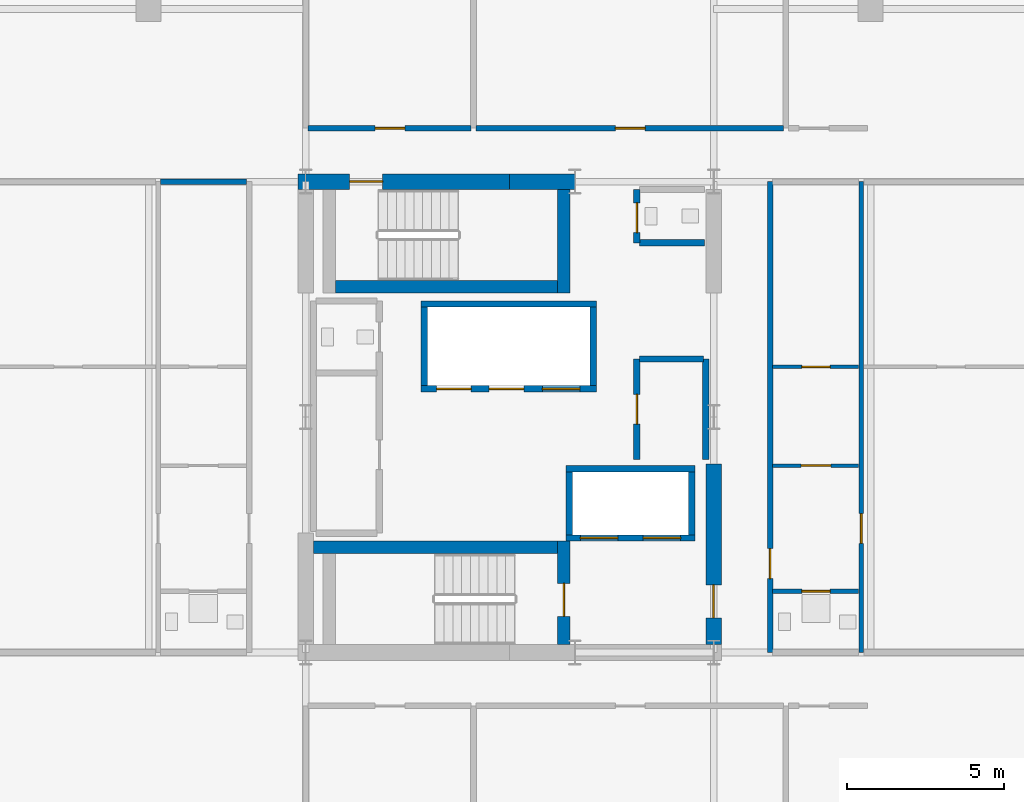
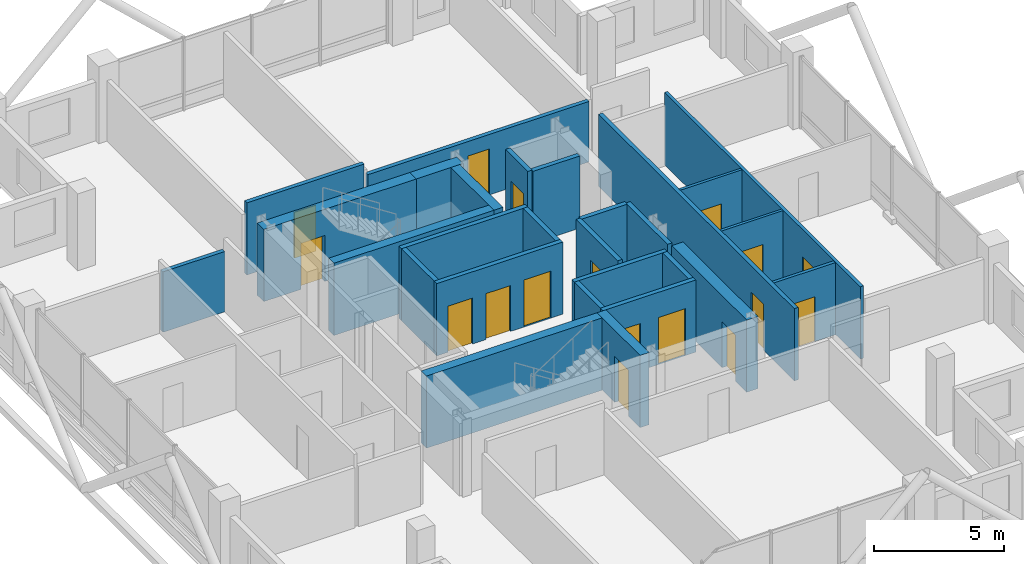
# One storey, part 20 of 24: 28 walls, 17 doors, 17 openings.
"""IFC4 building model written with IfcOpenShell, lengths in metres."""

import ifcopenshell
import ifcopenshell.guid

model = None  # the IFC model being written
_history = None  # IfcOwnerHistory: only IFC2X3 demands one
_inside = {}  # id of a spatial element -> (the spatial element, [elements in it])
_under = {}  # id of a project, library or spatial element -> (it, [spatial elements below it])
_declared = {}  # id of a project -> (the project, [libraries it declares])
_typed = {}  # id of a type object -> (the type object, [elements of that type])
_made_of = {}  # id of a material, layer set ... -> (it, [elements and type objects made of it])


def new_model(schema):
    """Start an empty IFC model of exactly this schema.

    Asked for "IFC4X3", IfcOpenShell would pick the latest addendum, in which some entities
    have other attributes; the version numbers below select the first issue.
    IFC2X3 requires an IfcOwnerHistory on every rooted entity: one is made here for all.
    """
    global model, _history
    if schema == "IFC4X3":
        model = ifcopenshell.file(schema_version=(4, 3, 0, 0))
    else:
        model = ifcopenshell.file(schema=schema)
    _inside.clear()
    _under.clear()
    _declared.clear()
    _typed.clear()
    _made_of.clear()
    _history = None
    if model.schema == "IFC2X3":
        org = make("IfcOrganization", Name="unknown")
        user = make(
            "IfcPersonAndOrganization",
            ThePerson=make("IfcPerson", FamilyName="unknown"),
            TheOrganization=org,
        )
        app = make(
            "IfcApplication",
            ApplicationDeveloper=org,
            Version="unknown",
            ApplicationFullName="unknown",
            ApplicationIdentifier="unknown",
        )
        _history = make(
            "IfcOwnerHistory",
            OwningUser=user,
            OwningApplication=app,
            ChangeAction="ADDED",
            CreationDate=0,
        )
    return model


def make(cls, **values):
    """One entity of the class cls with the attributes given. An attribute that is None is left unset."""
    return model.create_entity(
        cls, **{name: value for name, value in values.items() if value is not None}
    )


def rooted(cls, **values):
    """An entity with a GlobalId (a new one), such as an element, a storey or a relation."""
    return make(cls, GlobalId=ifcopenshell.guid.new(), OwnerHistory=_history, **values)


def si_unit(unit_type, name, prefix=None):
    """IfcSIUnit, for example si_unit("LENGTHUNIT", "METRE", prefix="MILLI")."""
    return make("IfcSIUnit", UnitType=unit_type, Prefix=prefix, Name=name)


def assignment(units):
    """IfcUnitAssignment: the units of a project."""
    return None if units is None else make("IfcUnitAssignment", Units=units)


def point(xyz):
    """IfcCartesianPoint."""
    return None if xyz is None else make("IfcCartesianPoint", Coordinates=xyz)


def direction(xyz):
    """IfcDirection."""
    return None if xyz is None else make("IfcDirection", DirectionRatios=xyz)


def frame(location, z_axis=None, x_axis=None):
    """IfcAxis2Placement3D, a coordinate frame: its origin and axes. An axis left out is left unset."""
    return make(
        "IfcAxis2Placement3D",
        Location=point(location),
        Axis=direction(z_axis),
        RefDirection=direction(x_axis),
    )


def frame_2d(location, x_axis=None):
    """IfcAxis2Placement2D, a coordinate frame in the plane: its origin and x axis."""
    return make(
        "IfcAxis2Placement2D", Location=point(location), RefDirection=direction(x_axis)
    )


def origin():
    """The frame at (0, 0, 0) with its axes left unset."""
    return frame((0.0, 0.0, 0.0))


def place(relative_to, where):
    """IfcLocalPlacement: puts the frame where relative to a parent placement (None: the world)."""
    return make(
        "IfcLocalPlacement", PlacementRelTo=relative_to, RelativePlacement=where
    )


def context(
    kind, dimensions, precision=None, world=None, true_north=None, identifier=None
):
    """IfcGeometricRepresentationContext, for example the 3D "Model" context."""
    return make(
        "IfcGeometricRepresentationContext",
        ContextIdentifier=identifier,
        ContextType=kind,
        CoordinateSpaceDimension=dimensions,
        Precision=precision,
        WorldCoordinateSystem=world,
        TrueNorth=true_north,
    )


def subcontext(parent, identifier, kind, view, scale=None):
    """IfcGeometricRepresentationSubContext, for example "Body" below "Model"."""
    return make(
        "IfcGeometricRepresentationSubContext",
        ContextIdentifier=identifier,
        ContextType=kind,
        ParentContext=parent,
        TargetScale=scale,
        TargetView=view,
    )


def project(units=None, contexts=None):
    """IfcProject with its units and contexts."""
    return rooted(
        "IfcProject",
        Name="project",
        RepresentationContexts=contexts,
        UnitsInContext=assignment(units),
    )


def spatial(cls, under=None, at=None, **own):
    """A site, building, storey or space (cls), placed at a placement, below another one or the project."""
    s = rooted(cls, ObjectPlacement=at, **own)
    if under is not None:
        _under.setdefault(under.id(), (under, []))[1].append(s)
    return s


def profile(cls, at=None, kind="AREA", **sizes):
    """A parametric profile (cls). Its sizes go by their IFC names, for example OverallWidth=200.0."""
    return make(cls, ProfileType=kind, Position=at, **sizes)


def rectangle(**sizes):
    """IfcRectangleProfileDef."""
    return profile("IfcRectangleProfileDef", **sizes)


def extrude(swept, where, along, depth):
    """IfcExtrudedAreaSolid: the profile swept, set in the frame where, extruded along a direction by depth."""
    return make(
        "IfcExtrudedAreaSolid",
        SweptArea=swept,
        Position=where,
        ExtrudedDirection=direction(along),
        Depth=depth,
    )


def shape(context_of_items, identifier, shape_type, items):
    """IfcShapeRepresentation: the items that make up one representation, for example the "Body"."""
    return make(
        "IfcShapeRepresentation",
        ContextOfItems=context_of_items,
        RepresentationIdentifier=identifier,
        RepresentationType=shape_type,
        Items=items,
    )


def material(Name=None, Category=None):
    """IfcMaterial."""
    return make("IfcMaterial", Name=Name, Category=Category)


def layer(
    of_material, thickness, ventilated=None, Name=None, Category=None, Priority=None
):
    """IfcMaterialLayer: one layer of a wall or slab, of a material (None: an air gap)."""
    return make(
        "IfcMaterialLayer",
        Material=of_material,
        LayerThickness=thickness,
        IsVentilated=ventilated,
        Name=Name,
        Category=Category,
        Priority=Priority,
    )


def layer_set(layers, Name=None):
    """IfcMaterialLayerSet."""
    return make("IfcMaterialLayerSet", MaterialLayers=layers, LayerSetName=Name)


def made_of(thing, what):
    """Note that an element or type object is made of a material, layer set ...; save() writes the relation."""
    if what is not None:
        _made_of.setdefault(what.id(), (what, []))[1].append(thing)
    return thing


def type_object(cls, material=None, **own):
    """A type object (cls), such as IfcWallType, which elements share."""
    return made_of(rooted(cls, **own), material)


def element(
    cls,
    number,
    at=None,
    inside=None,
    cuts=None,
    type_object=None,
    material=None,
    context=None,
    identifier="Body",
    shape_type=None,
    held_by="IfcProductDefinitionShape",
    body=None,
    shapes=None,
    **own,
):
    """One element of the class cls, such as IfcWall. Its Tag is "e" and its number.

    at: its placement. inside: the storey or other place that contains it. cuts: it is an
    opening in that element (IfcRelVoidsElement). A single representation is given by context,
    identifier, shape_type and body (its items); several are given by shapes. held_by: the class
    of the entity that holds the representations. save() writes the other relations.
    """
    e = rooted(cls, Tag="e%d" % number, ObjectPlacement=at, **own)
    if body is not None:
        shapes = [shape(context, identifier, shape_type, body)]
    if shapes is not None:
        e.Representation = make(held_by, Representations=shapes)
    if inside is not None:
        _inside.setdefault(inside.id(), (inside, []))[1].append(e)
    if cuts is not None:
        rooted(
            "IfcRelVoidsElement", RelatingBuildingElement=cuts, RelatedOpeningElement=e
        )
    if type_object is not None:
        _typed.setdefault(type_object.id(), (type_object, []))[1].append(e)
    return made_of(e, material)


def fill(opening, filler):
    """IfcRelFillsElement: the door or window that sits in an opening."""
    return rooted(
        "IfcRelFillsElement",
        RelatingOpeningElement=opening,
        RelatedBuildingElement=filler,
    )


def aggregate(whole, parts):
    """IfcRelAggregates: a whole, such as a stair, and the parts it consists of."""
    return rooted("IfcRelAggregates", RelatingObject=whole, RelatedObjects=parts)


def save(model, path):
    """Write the relations noted so far, then the file.

    IfcRelAggregates (storeys below a building ...), IfcRelContainedInSpatialStructure (elements
    in a storey), IfcRelDefinesByType, IfcRelAssociatesMaterial and IfcRelDeclares: one each for
    every whole, place, type object, material and project.
    """
    for whole, parts in _under.values():
        aggregate(whole, parts)
    for where, things in _inside.values():
        rooted(
            "IfcRelContainedInSpatialStructure",
            RelatedElements=things,
            RelatingStructure=where,
        )
    for kind, things in _typed.values():
        rooted("IfcRelDefinesByType", RelatedObjects=things, RelatingType=kind)
    for what, things in _made_of.values():
        rooted("IfcRelAssociatesMaterial", RelatedObjects=things, RelatingMaterial=what)
    for by, libraries in _declared.values():
        rooted("IfcRelDeclares", RelatingContext=by, RelatedDefinitions=libraries)
    model.write(path)


model = new_model("IFC4")

# Units and contexts
model_context = context("Model", 3, precision=1e-05, world=origin(), true_north=direction((0.0, 1.0)))
body_context = subcontext(model_context, "Body", "Model", "MODEL_VIEW")
ifc_project = project(units=[si_unit("LENGTHUNIT", "METRE"), si_unit("AREAUNIT", "SQUARE_METRE"), si_unit("VOLUMEUNIT", "CUBIC_METRE"), si_unit("PLANEANGLEUNIT", "RADIAN"), si_unit("MASSUNIT", "GRAM", prefix="KILO")], contexts=[model_context])

# Site, building, storey
site_placement = place(None, origin())
site = spatial("IfcSite", under=ifc_project, at=site_placement, CompositionType="ELEMENT")
building_placement = place(site_placement, origin())
building = spatial("IfcBuilding", under=site, at=building_placement, Name="Barlavira Tower and Art Museum", CompositionType="ELEMENT")
storey_placement = place(building_placement, frame((0.0, 0.0, 294.300048828125)))
storey = spatial("IfcBuildingStorey", under=building, at=storey_placement, Name="L77", CompositionType="ELEMENT", Elevation=294.300048828125)

# Wall, opening, door
ifc_material_1 = material(Name="Gypsum acoustic stud partition", Category="gypsum")
ifc_layer_1 = layer(ifc_material_1, 0.1201171875, Name="Gypsum acoustic stud partition")
ifc_layer_set_1 = layer_set([ifc_layer_1], Name="Gypsum acoustic stud partition")
wall_type_1 = type_object("IfcWallType", Name="Apartment Internal Acoustic Partition 120", PredefinedType="PARTITIONING", material=ifc_layer_set_1)
wall_1_placement = place(storey_placement, frame((8.3798828125, -1.550048828125, 0.0), z_axis=(0.0, 0.0, 1.0), x_axis=(1.0, 0.0, 0.0)))
wall_1 = element("IfcWall", 1, at=wall_1_placement, inside=storey, type_object=wall_type_1, Name="L77 Partition Wall 27", PredefinedType="PARTITIONING", context=body_context, shape_type="SweptSolid", body=[
    extrude(rectangle(XDim=2.740234375, YDim=0.1201171875, at=frame_2d((1.3701171875, 0.0))), origin(), (0.0, 0.0, 1.0), 3.3798828125),
])
opening_1_placement = place(wall_1_placement, frame((0.905029296875, 0.0, 0.0)))
opening_1 = element("IfcOpeningElement", 2, at=opening_1_placement, cuts=wall_1, Name="Opening D-02", PredefinedType="OPENING", context=body_context, shape_type="SweptSolid", body=[
    extrude(rectangle(XDim=0.949951171875, YDim=2.10009765625, at=frame_2d((0.47509765625, 1.050048828125))), frame((0.0, 0.070068359375, 0.0), z_axis=(0.0, -1.0, 0.0), x_axis=(1.0, 0.0, 0.0)), (0.0, 0.0, 1.0), 0.14013671875),
])
ifc_material_2 = material(Name="Engineered coastal hardwood", Category="wood")
door_type_1 = type_object("IfcDoorType", Name="Living and Salon Glazed-Leaf Door 950x2100", OperationType="NOTDEFINED", PredefinedType="DOOR", material=ifc_material_2)
door_1_placement = place(opening_1_placement, origin())
door_1 = element("IfcDoor", 3, at=door_1_placement, inside=storey, type_object=door_type_1, Name="Apartment E1 Kitchen Door", OperationType="SINGLE_SWING_RIGHT", OverallHeight=2.10009765625, OverallWidth=0.949951171875, PredefinedType="DOOR", context=body_context, shape_type="SweptSolid", body=[
    extrude(rectangle(XDim=0.949951171875, YDim=2.10009765625, at=frame_2d((0.47509765625, 1.050048828125))), frame((0.0, 0.02490234375, 0.0), z_axis=(0.0, -1.0, 0.0), x_axis=(1.0, 0.0, 0.0)), (0.0, 0.0, 1.0), 0.050048828125),
])
fill(opening_1, door_1)

wall_2_placement = place(storey_placement, frame((8.3798828125, 1.60009765625, 0.0), z_axis=(0.0, 0.0, 1.0), x_axis=(1.0, 0.0, 0.0)))
wall_2 = element("IfcWall", 4, at=wall_2_placement, inside=storey, type_object=wall_type_1, Name="L77 Partition Wall 31", PredefinedType="PARTITIONING", context=body_context, shape_type="SweptSolid", body=[
    extrude(rectangle(XDim=2.740234375, YDim=0.1201171875, at=frame_2d((1.3701171875, 0.0))), origin(), (0.0, 0.0, 1.0), 3.3798828125),
])
opening_2_placement = place(wall_2_placement, frame((0.929931640625, 0.0, 0.0)))
opening_2 = element("IfcOpeningElement", 5, at=opening_2_placement, cuts=wall_2, Name="Opening D-01", PredefinedType="OPENING", context=body_context, shape_type="SweptSolid", body=[
    extrude(rectangle(XDim=0.89990234375, YDim=2.10009765625, at=frame_2d((0.449951171875, 1.050048828125))), frame((0.0, 0.070068359375, 0.0), z_axis=(0.0, -1.0, 0.0), x_axis=(1.0, 0.0, 0.0)), (0.0, 0.0, 1.0), 0.14013671875),
])
door_type_2 = type_object("IfcDoorType", Name="Internal Bedroom Timber Flush Door 900x2100", OperationType="NOTDEFINED", PredefinedType="DOOR", material=ifc_material_2)
door_2_placement = place(opening_2_placement, origin())
door_2 = element("IfcDoor", 6, at=door_2_placement, inside=storey, type_object=door_type_2, Name="Apartment E1 Walk-In Dressing Room Door", OperationType="SINGLE_SWING_LEFT", OverallHeight=2.10009765625, OverallWidth=0.89990234375, PredefinedType="DOOR", context=body_context, shape_type="SweptSolid", body=[
    extrude(rectangle(XDim=0.89990234375, YDim=2.10009765625, at=frame_2d((0.449951171875, 1.050048828125))), frame((0.0, 0.02490234375, 0.0), z_axis=(0.0, -1.0, 0.0), x_axis=(1.0, 0.0, 0.0)), (0.0, 0.0, 1.0), 0.050048828125),
])
fill(opening_2, door_2)

ifc_material_3 = material(Name="Concrete C60", Category="concrete")
ifc_layer_2 = layer(ifc_material_3, 0.5, Name="Concrete C60")
ifc_layer_set_2 = layer_set([ifc_layer_2], Name="Concrete C60")
wall_type_2 = type_object("IfcWallType", Name="Core Structural Shear Wall 500 Concrete C60", PredefinedType="SHEAR", material=ifc_layer_set_2)
wall_3_placement = place(storey_placement, frame((-6.75, 7.5, 0.0), z_axis=(0.0, 0.0, 1.0), x_axis=(1.0, 0.0, 0.0)))
wall_3 = element("IfcWall", 7, at=wall_3_placement, inside=storey, type_object=wall_type_2, Name="L77 Core Shear Wall CS-NW", PredefinedType="SHEAR", context=body_context, shape_type="SweptSolid", body=[
    extrude(rectangle(XDim=6.75, YDim=0.5, at=frame_2d((3.375, 0.0))), origin(), (0.0, 0.0, 1.0), 3.3798828125),
])
opening_3_placement = place(wall_3_placement, frame((1.64990234375, 0.0, 0.0)))
opening_3 = element("IfcOpeningElement", 8, at=opening_3_placement, cuts=wall_3, Name="Opening FD-90", PredefinedType="OPENING", context=body_context, shape_type="SweptSolid", body=[
    extrude(rectangle(XDim=1.050048828125, YDim=2.14990234375, at=frame_2d((0.52490234375, 1.074951171875))), frame((0.0, 0.260009765625, 0.0), z_axis=(0.0, -1.0, 0.0), x_axis=(1.0, 0.0, 0.0)), (0.0, 0.0, 1.0), 0.52001953125),
])
ifc_material_4 = material(Name="Brushed stainless steel", Category="steel")
door_type_3 = type_object("IfcDoorType", Name="Stair and Refuge Fire Door 1050x2150 FD90S", OperationType="NOTDEFINED", PredefinedType="DOOR", material=ifc_material_4)
door_3_placement = place(opening_3_placement, origin())
door_3 = element("IfcDoor", 9, at=door_3_placement, inside=storey, type_object=door_type_3, Name="L77 Stair ST-T2 Fire Door", OperationType="SINGLE_SWING_LEFT", OverallHeight=2.14990234375, OverallWidth=1.050048828125, PredefinedType="DOOR", context=body_context, shape_type="SweptSolid", body=[
    extrude(rectangle(XDim=1.050048828125, YDim=2.14990234375, at=frame_2d((0.52490234375, 1.074951171875))), frame((0.0, 0.02490234375, 0.0), z_axis=(0.0, -1.0, 0.0), x_axis=(1.0, 0.0, 0.0)), (0.0, 0.0, 1.0), 0.050048828125),
])
fill(opening_3, door_3)

# Wall
wall_4_placement = place(storey_placement, frame((0.0, 7.5, 0.0), z_axis=(0.0, 0.0, 1.0), x_axis=(1.0, 0.0, 0.0)))
element("IfcWall", 10, at=wall_4_placement, inside=storey, type_object=wall_type_2, Name="L77 Core Shear Wall CS-EN", PredefinedType="SHEAR", context=body_context, shape_type="SweptSolid", body=[
    extrude(rectangle(XDim=2.080078125, YDim=0.5, at=frame_2d((1.0400390625, 0.0))), origin(), (0.0, 0.0, 1.0), 3.3798828125),
])

# Wall, opening, door
wall_5_placement = place(storey_placement, frame((6.5, -7.25, 0.0), z_axis=(0.0, 0.0, 1.0), x_axis=(0.0, 1.0, 0.0)))
wall_5 = element("IfcWall", 11, at=wall_5_placement, inside=storey, type_object=wall_type_2, Name="L77 Core Shear Wall CS-E1", PredefinedType="SHEAR", context=body_context, shape_type="SweptSolid", body=[
    extrude(rectangle(XDim=5.75, YDim=0.5, at=frame_2d((2.875, 0.0))), origin(), (0.0, 0.0, 1.0), 3.3798828125),
])
opening_4_placement = place(wall_5_placement, frame((0.85009765625, 0.0, 0.0)))
opening_4 = element("IfcOpeningElement", 12, at=opening_4_placement, cuts=wall_5, Name="Opening FD-90", PredefinedType="OPENING", context=body_context, shape_type="SweptSolid", body=[
    extrude(rectangle(XDim=1.050048828125, YDim=2.14990234375, at=frame_2d((0.52490234375, 1.074951171875))), frame((0.0, 0.260009765625, 0.0), z_axis=(0.0, -1.0, 0.0), x_axis=(1.0, 0.0, 0.0)), (0.0, 0.0, 1.0), 0.52001953125),
])
door_4_placement = place(opening_4_placement, origin())
door_4 = element("IfcDoor", 13, at=door_4_placement, inside=storey, type_object=door_type_3, Name="L77 Firefighting Lobby Entry Fire Door", OperationType="SINGLE_SWING_LEFT", OverallHeight=2.14990234375, OverallWidth=1.050048828125, PredefinedType="DOOR", context=body_context, shape_type="SweptSolid", body=[
    extrude(rectangle(XDim=1.050048828125, YDim=2.14990234375, at=frame_2d((0.52490234375, 1.074951171875))), frame((0.0, 0.02490234375, 0.0), z_axis=(0.0, -1.0, 0.0), x_axis=(1.0, 0.0, 0.0)), (0.0, 0.0, 1.0), 0.050048828125),
])
fill(opening_4, door_4)

# Wall, openings, doors
ifc_material_5 = material(Name="Autoclaved aerated concrete masonry", Category="masonry")
ifc_layer_3 = layer(ifc_material_5, 0.199951171875, Name="Autoclaved aerated concrete masonry")
ifc_layer_set_3 = layer_set([ifc_layer_3], Name="Autoclaved aerated concrete masonry")
wall_type_3 = type_object("IfcWallType", Name="Fire Compartment and Shaft Wall 200", PredefinedType="SOLIDWALL", material=ifc_layer_set_3)
wall_6_placement = place(storey_placement, frame((-2.820068359375, 0.89990234375, 0.0), z_axis=(0.0, 0.0, 1.0), x_axis=(1.0, 0.0, 0.0)))
wall_6 = element("IfcWall", 14, at=wall_6_placement, inside=storey, type_object=wall_type_3, Name="L77 High-Rise & Service Lift Front Wall", PredefinedType="SOLIDWALL", context=body_context, shape_type="SweptSolid", body=[
    extrude(rectangle(XDim=5.580078125, YDim=0.199951171875, at=frame_2d((2.7900390625, 0.0))), origin(), (0.0, 0.0, 1.0), 3.3798828125),
])
opening_5_placement = place(wall_6_placement, frame((0.489990234375, 0.0, 0.0)))
opening_5 = element("IfcOpeningElement", 15, at=opening_5_placement, cuts=wall_6, Name="Opening LD-P", PredefinedType="OPENING", context=body_context, shape_type="SweptSolid", body=[
    extrude(rectangle(XDim=1.10009765625, YDim=2.14990234375, at=frame_2d((0.550048828125, 1.074951171875))), frame((0.0, 0.10986328125, 0.0), z_axis=(0.0, -1.0, 0.0), x_axis=(1.0, 0.0, 0.0)), (0.0, 0.0, 1.0), 0.219970703125),
])
opening_6_placement = place(wall_6_placement, frame((2.169921875, 0.0, 0.0)))
opening_6 = element("IfcOpeningElement", 16, at=opening_6_placement, cuts=wall_6, Name="Opening LD-P", PredefinedType="OPENING", context=body_context, shape_type="SweptSolid", body=[
    extrude(rectangle(XDim=1.10009765625, YDim=2.14990234375, at=frame_2d((0.550048828125, 1.074951171875))), frame((0.0, 0.10986328125, 0.0), z_axis=(0.0, -1.0, 0.0), x_axis=(1.0, 0.0, 0.0)), (0.0, 0.0, 1.0), 0.219970703125),
])
opening_7_placement = place(wall_6_placement, frame((3.860107421875, 0.0, 0.0)))
opening_7 = element("IfcOpeningElement", 17, at=opening_7_placement, cuts=wall_6, Name="Opening LD-F", PredefinedType="OPENING", context=body_context, shape_type="SweptSolid", body=[
    extrude(rectangle(XDim=1.199951171875, YDim=2.199951171875, at=frame_2d((0.60009765625, 1.10009765625))), frame((0.0, 0.10986328125, 0.0), z_axis=(0.0, -1.0, 0.0), x_axis=(1.0, 0.0, 0.0)), (0.0, 0.0, 1.0), 0.219970703125),
])
door_type_4 = type_object("IfcDoorType", Name="Firefighting and Service Lift Sliding Door 1200x2200 FD120", OperationType="NOTDEFINED", PredefinedType="DOOR", material=ifc_material_4)
door_5_placement = place(opening_7_placement, origin())
door_5 = element("IfcDoor", 18, at=door_5_placement, inside=storey, type_object=door_type_4, Name="L77 Stretcher Service Lift SL1 Sliding Door", OperationType="DOUBLE_DOOR_SLIDING", OverallHeight=2.199951171875, OverallWidth=1.199951171875, PredefinedType="DOOR", context=body_context, shape_type="SweptSolid", body=[
    extrude(rectangle(XDim=1.199951171875, YDim=2.199951171875, at=frame_2d((0.60009765625, 1.10009765625))), frame((0.0, 0.02490234375, 0.0), z_axis=(0.0, -1.0, 0.0), x_axis=(1.0, 0.0, 0.0)), (0.0, 0.0, 1.0), 0.050048828125),
])
fill(opening_7, door_5)
door_type_5 = type_object("IfcDoorType", Name="Passenger Lift Sliding Landing Door 1100x2150 FD60", OperationType="NOTDEFINED", PredefinedType="DOOR", material=ifc_material_4)
door_6_placement = place(opening_5_placement, origin())
door_6 = element("IfcDoor", 19, at=door_6_placement, inside=storey, type_object=door_type_5, Name="L77 Lift PH1 Sliding Landing Door", OperationType="DOUBLE_DOOR_SLIDING", OverallHeight=2.14990234375, OverallWidth=1.10009765625, PredefinedType="DOOR", context=body_context, shape_type="SweptSolid", body=[
    extrude(rectangle(XDim=1.10009765625, YDim=2.14990234375, at=frame_2d((0.550048828125, 1.074951171875))), frame((0.0, 0.02490234375, 0.0), z_axis=(0.0, -1.0, 0.0), x_axis=(1.0, 0.0, 0.0)), (0.0, 0.0, 1.0), 0.050048828125),
])
fill(opening_5, door_6)
door_7_placement = place(opening_6_placement, origin())
door_7 = element("IfcDoor", 20, at=door_7_placement, inside=storey, type_object=door_type_5, Name="L77 Lift PH2 Sliding Landing Door", OperationType="DOUBLE_DOOR_SLIDING", OverallHeight=2.14990234375, OverallWidth=1.10009765625, PredefinedType="DOOR", context=body_context, shape_type="SweptSolid", body=[
    extrude(rectangle(XDim=1.10009765625, YDim=2.14990234375, at=frame_2d((0.550048828125, 1.074951171875))), frame((0.0, 0.02490234375, 0.0), z_axis=(0.0, -1.0, 0.0), x_axis=(1.0, 0.0, 0.0)), (0.0, 0.0, 1.0), 0.050048828125),
])
fill(opening_6, door_7)

# Walls
wall_7_placement = place(storey_placement, frame((-2.820068359375, 3.60009765625, 0.0), z_axis=(0.0, 0.0, 1.0), x_axis=(1.0, 0.0, 0.0)))
element("IfcWall", 21, at=wall_7_placement, inside=storey, type_object=wall_type_3, Name="L77 High-Rise & Service Lift Back Wall", PredefinedType="SOLIDWALL", context=body_context, shape_type="SweptSolid", body=[
    extrude(rectangle(XDim=5.580078125, YDim=0.199951171875, at=frame_2d((2.7900390625, 0.0))), origin(), (0.0, 0.0, 1.0), 3.3798828125),
])
for number, where, z_axis, x_axis, name in (
    (22, (-2.719970703125, 1.0, 0.0), (0.0, 0.0, 1.0), (0.0, 1.0, 0.0), "L77 High-Rise & Service Lift West Wall"),
    (23, (2.659912109375, 1.0, 0.0), (0.0, 0.0, 1.0), (0.0, 1.0, 0.0), "L77 High-Rise & Service Lift East Wall"),
):
    element("IfcWall", number, at=place(storey_placement, frame(where, z_axis=z_axis, x_axis=x_axis)), inside=storey, type_object=wall_type_3, Name=name, PredefinedType="SOLIDWALL", context=body_context, shape_type="SweptSolid", body=[
        extrude(rectangle(XDim=2.5, YDim=0.199951171875, at=frame_2d((1.25, 0.0))), origin(), (0.0, 0.0, 1.0), 3.3798828125),
    ])

# Wall, openings, doors
wall_8_placement = place(storey_placement, frame((1.800048828125, -3.85009765625, 0.0), z_axis=(0.0, 0.0, 1.0), x_axis=(1.0, 0.0, 0.0)))
wall_8 = element("IfcWall", 24, at=wall_8_placement, inside=storey, type_object=wall_type_3, Name="L77 Firefighting Lift Front Shaft Wall", PredefinedType="SOLIDWALL", context=body_context, shape_type="SweptSolid", body=[
    extrude(rectangle(XDim=4.099853515625, YDim=0.199951171875, at=frame_2d((2.0498046875, 0.0))), origin(), (0.0, 0.0, 1.0), 3.3798828125),
])
opening_8_placement = place(wall_8_placement, frame((0.449951171875, 0.0, 0.0)))
opening_8 = element("IfcOpeningElement", 25, at=opening_8_placement, cuts=wall_8, Name="Opening LD-F", PredefinedType="OPENING", context=body_context, shape_type="SweptSolid", body=[
    extrude(rectangle(XDim=1.199951171875, YDim=2.199951171875, at=frame_2d((0.60009765625, 1.10009765625))), frame((0.0, 0.10986328125, 0.0), z_axis=(0.0, -1.0, 0.0), x_axis=(1.0, 0.0, 0.0)), (0.0, 0.0, 1.0), 0.219970703125),
])
opening_9_placement = place(wall_8_placement, frame((2.449951171875, 0.0, 0.0)))
opening_9 = element("IfcOpeningElement", 26, at=opening_9_placement, cuts=wall_8, Name="Opening LD-F", PredefinedType="OPENING", context=body_context, shape_type="SweptSolid", body=[
    extrude(rectangle(XDim=1.199951171875, YDim=2.199951171875, at=frame_2d((0.60009765625, 1.10009765625))), frame((0.0, 0.10986328125, 0.0), z_axis=(0.0, -1.0, 0.0), x_axis=(1.0, 0.0, 0.0)), (0.0, 0.0, 1.0), 0.219970703125),
])
door_8_placement = place(opening_8_placement, origin())
door_8 = element("IfcDoor", 27, at=door_8_placement, inside=storey, type_object=door_type_4, Name="L77 Firefighting Lift FF1 Sliding Door", OperationType="DOUBLE_DOOR_SLIDING", OverallHeight=2.199951171875, OverallWidth=1.199951171875, PredefinedType="DOOR", context=body_context, shape_type="SweptSolid", body=[
    extrude(rectangle(XDim=1.199951171875, YDim=2.199951171875, at=frame_2d((0.60009765625, 1.10009765625))), frame((0.0, 0.02490234375, 0.0), z_axis=(0.0, -1.0, 0.0), x_axis=(1.0, 0.0, 0.0)), (0.0, 0.0, 1.0), 0.050048828125),
])
fill(opening_8, door_8)
door_9_placement = place(opening_9_placement, origin())
door_9 = element("IfcDoor", 28, at=door_9_placement, inside=storey, type_object=door_type_4, Name="L77 Firefighting Lift FF2 Sliding Door", OperationType="DOUBLE_DOOR_SLIDING", OverallHeight=2.199951171875, OverallWidth=1.199951171875, PredefinedType="DOOR", context=body_context, shape_type="SweptSolid", body=[
    extrude(rectangle(XDim=1.199951171875, YDim=2.199951171875, at=frame_2d((0.60009765625, 1.10009765625))), frame((0.0, 0.02490234375, 0.0), z_axis=(0.0, -1.0, 0.0), x_axis=(1.0, 0.0, 0.0)), (0.0, 0.0, 1.0), 0.050048828125),
])
fill(opening_9, door_9)

# Walls
wall_9_placement = place(storey_placement, frame((1.800048828125, -1.64990234375, 0.0), z_axis=(0.0, 0.0, 1.0), x_axis=(1.0, 0.0, 0.0)))
element("IfcWall", 29, at=wall_9_placement, inside=storey, type_object=wall_type_3, Name="L77 Firefighting Lift Back Shaft Wall", PredefinedType="SOLIDWALL", context=body_context, shape_type="SweptSolid", body=[
    extrude(rectangle(XDim=4.099853515625, YDim=0.199951171875, at=frame_2d((2.0498046875, 0.0))), origin(), (0.0, 0.0, 1.0), 3.3798828125),
])
for number, where, z_axis, x_axis, name in (
    (30, (1.89990234375, -3.75, 0.0), (0.0, 0.0, 1.0), (0.0, 1.0, 0.0), "L77 Firefighting Lift West Shaft Wall"),
    (31, (5.800048828125, -3.75, 0.0), (0.0, 0.0, 1.0), (0.0, 1.0, 0.0), "L77 Firefighting Lift East Shaft Wall"),
):
    element("IfcWall", number, at=place(storey_placement, frame(where, z_axis=z_axis, x_axis=x_axis)), inside=storey, type_object=wall_type_3, Name=name, PredefinedType="SOLIDWALL", context=body_context, shape_type="SweptSolid", body=[
        extrude(rectangle(XDim=2.0, YDim=0.199951171875, at=frame_2d((1.0, 0.0))), origin(), (0.0, 0.0, 1.0), 3.3798828125),
    ])

# Wall, opening, door
wall_10_placement = place(storey_placement, frame((4.050048828125, -1.35009765625, 0.0), z_axis=(0.0, 0.0, 1.0), x_axis=(0.0, 1.0, 0.0)))
wall_10 = element("IfcWall", 32, at=wall_10_placement, inside=storey, type_object=wall_type_3, Name="L77 Partition Wall 9", PredefinedType="SOLIDWALL", context=body_context, shape_type="SweptSolid", body=[
    extrude(rectangle(XDim=3.2001953125, YDim=0.199951171875, at=frame_2d((1.60009765625, 0.0))), origin(), (0.0, 0.0, 1.0), 3.3798828125),
])
opening_10_placement = place(wall_10_placement, frame((1.125, 0.0, 0.0)))
opening_10 = element("IfcOpeningElement", 33, at=opening_10_placement, cuts=wall_10, Name="Opening FD-60", PredefinedType="OPENING", context=body_context, shape_type="SweptSolid", body=[
    extrude(rectangle(XDim=0.949951171875, YDim=2.14990234375, at=frame_2d((0.47509765625, 1.074951171875))), frame((0.0, 0.10986328125, 0.0), z_axis=(0.0, -1.0, 0.0), x_axis=(1.0, 0.0, 0.0)), (0.0, 0.0, 1.0), 0.219970703125),
])
door_type_6 = type_object("IfcDoorType", Name="Apartment Entrance and Riser Fire Door 950x2150 FD60S", OperationType="NOTDEFINED", PredefinedType="DOOR", material=ifc_material_4)
door_10_placement = place(opening_10_placement, origin())
door_10 = element("IfcDoor", 34, at=door_10_placement, inside=storey, type_object=door_type_6, Name="Reclaimed Upper Core Valet Store Door", OperationType="SINGLE_SWING_RIGHT", OverallHeight=2.14990234375, OverallWidth=0.949951171875, PredefinedType="DOOR", context=body_context, shape_type="SweptSolid", body=[
    extrude(rectangle(XDim=0.949951171875, YDim=2.14990234375, at=frame_2d((0.47509765625, 1.074951171875))), frame((0.0, 0.02490234375, 0.0), z_axis=(0.0, -1.0, 0.0), x_axis=(1.0, 0.0, 0.0)), (0.0, 0.0, 1.0), 0.050048828125),
])
fill(opening_10, door_10)

wall_11_placement = place(storey_placement, frame((4.050048828125, 5.550048828125, 0.0), z_axis=(0.0, 0.0, 1.0), x_axis=(0.0, 1.0, 0.0)))
wall_11 = element("IfcWall", 35, at=wall_11_placement, inside=storey, type_object=wall_type_3, Name="L77 Partition Wall 10", PredefinedType="SOLIDWALL", context=body_context, shape_type="SweptSolid", body=[
    extrude(rectangle(XDim=1.699951171875, YDim=0.199951171875, at=frame_2d((0.85009765625, 0.0))), origin(), (0.0, 0.0, 1.0), 3.3798828125),
])
opening_11_placement = place(wall_11_placement, frame((0.324951171875, 0.0, 0.0)))
opening_11 = element("IfcOpeningElement", 36, at=opening_11_placement, cuts=wall_11, Name="Opening FD-60", PredefinedType="OPENING", context=body_context, shape_type="SweptSolid", body=[
    extrude(rectangle(XDim=0.949951171875, YDim=2.14990234375, at=frame_2d((0.47509765625, 1.074951171875))), frame((0.0, 0.10986328125, 0.0), z_axis=(0.0, -1.0, 0.0), x_axis=(1.0, 0.0, 0.0)), (0.0, 0.0, 1.0), 0.219970703125),
])
door_11_placement = place(opening_11_placement, origin())
door_11 = element("IfcDoor", 37, at=door_11_placement, inside=storey, type_object=door_type_6, Name="Core Accessible Washroom Door", OperationType="SINGLE_SWING_LEFT", OverallHeight=2.14990234375, OverallWidth=0.949951171875, PredefinedType="DOOR", context=body_context, shape_type="SweptSolid", body=[
    extrude(rectangle(XDim=0.949951171875, YDim=2.14990234375, at=frame_2d((0.47509765625, 1.074951171875))), frame((0.0, 0.02490234375, 0.0), z_axis=(0.0, -1.0, 0.0), x_axis=(1.0, 0.0, 0.0)), (0.0, 0.0, 1.0), 0.050048828125),
])
fill(opening_11, door_11)

# Walls
wall_12_placement = place(storey_placement, frame((6.25, -1.35009765625, 0.0), z_axis=(0.0, 0.0, 1.0), x_axis=(0.0, 1.0, 0.0)))
element("IfcWall", 38, at=wall_12_placement, inside=storey, type_object=wall_type_3, Name="L77 Partition Wall 11", PredefinedType="SOLIDWALL", context=body_context, shape_type="SweptSolid", body=[
    extrude(rectangle(XDim=3.2001953125, YDim=0.199951171875, at=frame_2d((1.60009765625, 0.0))), origin(), (0.0, 0.0, 1.0), 3.3798828125),
])
wall_13_placement = place(storey_placement, frame((4.1298828125, 1.85009765625, 0.0), z_axis=(0.0, 0.0, 1.0), x_axis=(1.0, 0.0, 0.0)))
element("IfcWall", 39, at=wall_13_placement, inside=storey, type_object=wall_type_3, Name="L77 Partition Wall 33", PredefinedType="SOLIDWALL", context=body_context, shape_type="SweptSolid", body=[
    extrude(rectangle(XDim=2.0400390625, YDim=0.199951171875, at=frame_2d((1.02001953125, 0.0))), origin(), (0.0, 0.0, 1.0), 3.3798828125),
])
wall_14_placement = place(storey_placement, frame((4.1298828125, 5.550048828125, 0.0), z_axis=(0.0, 0.0, 1.0), x_axis=(1.0, 0.0, 0.0)))
element("IfcWall", 40, at=wall_14_placement, inside=storey, type_object=wall_type_3, Name="L77 Partition Wall 35", PredefinedType="SOLIDWALL", context=body_context, shape_type="SweptSolid", body=[
    extrude(rectangle(XDim=2.070068359375, YDim=0.199951171875, at=frame_2d((1.03515625, 0.0))), origin(), (0.0, 0.0, 1.0), 3.3798828125),
])

# Wall, opening, door
ifc_layer_4 = layer(ifc_material_1, 0.179931640625, Name="Gypsum acoustic stud partition")
ifc_layer_set_4 = layer_set([ifc_layer_4], Name="Gypsum acoustic stud partition")
wall_type_4 = type_object("IfcWallType", Name="Inter-Tenancy Party Partition Wall 180", PredefinedType="PARTITIONING", material=ifc_layer_set_4)
wall_15_placement = place(storey_placement, frame((8.300048828125, -7.5, 0.0), z_axis=(0.0, 0.0, 1.0), x_axis=(0.0, 1.0, 0.0)))
wall_15 = element("IfcWall", 41, at=wall_15_placement, inside=storey, type_object=wall_type_4, Name="L77 Partition Wall 12", PredefinedType="PARTITIONING", context=body_context, shape_type="SweptSolid", body=[
    extrude(rectangle(XDim=15.0, YDim=0.179931640625, at=frame_2d((7.5, 0.0))), origin(), (0.0, 0.0, 1.0), 3.3798828125),
])
opening_12_placement = place(wall_15_placement, frame((2.35498046875, 0.0, 0.0)))
opening_12 = element("IfcOpeningElement", 42, at=opening_12_placement, cuts=wall_15, Name="Opening FD-60", PredefinedType="OPENING", context=body_context, shape_type="SweptSolid", body=[
    extrude(rectangle(XDim=0.949951171875, YDim=2.14990234375, at=frame_2d((0.47509765625, 1.074951171875))), frame((0.0, 0.10009765625, 0.0), z_axis=(0.0, -1.0, 0.0), x_axis=(1.0, 0.0, 0.0)), (0.0, 0.0, 1.0), 0.199951171875),
])
door_12_placement = place(opening_12_placement, origin())
door_12 = element("IfcDoor", 43, at=door_12_placement, inside=storey, type_object=door_type_6, Name="Apartment Entrance Hall E1 Door", OperationType="SINGLE_SWING_LEFT", OverallHeight=2.14990234375, OverallWidth=0.949951171875, PredefinedType="DOOR", context=body_context, shape_type="SweptSolid", body=[
    extrude(rectangle(XDim=0.949951171875, YDim=2.14990234375, at=frame_2d((0.47509765625, 1.074951171875))), frame((0.0, 0.02490234375, 0.0), z_axis=(0.0, -1.0, 0.0), x_axis=(1.0, 0.0, 0.0)), (0.0, 0.0, 1.0), 0.050048828125),
])
fill(opening_12, door_12)

# Wall
wall_16_placement = place(storey_placement, frame((-11.1201171875, 7.5, 0.0), z_axis=(0.0, 0.0, 1.0), x_axis=(1.0, 0.0, 0.0)))
element("IfcWall", 44, at=wall_16_placement, inside=storey, type_object=wall_type_4, Name="L77 Partition Wall 38", PredefinedType="PARTITIONING", context=body_context, shape_type="SweptSolid", body=[
    extrude(rectangle(XDim=2.740234375, YDim=0.179931640625, at=frame_2d((1.3701171875, 0.0))), origin(), (0.0, 0.0, 1.0), 2.825927734375),
])

# Wall, opening, door
wall_17_placement = place(storey_placement, frame((-6.419921875, 9.199951171875, 0.0), z_axis=(0.0, 0.0, 1.0), x_axis=(1.0, 0.0, 0.0)))
wall_17 = element("IfcWall", 45, at=wall_17_placement, inside=storey, type_object=wall_type_4, Name="L77 Partition Wall 41", PredefinedType="PARTITIONING", context=body_context, shape_type="SweptSolid", body=[
    extrude(rectangle(XDim=5.18994140625, YDim=0.179931640625, at=frame_2d((2.594970703125, 0.0))), origin(), (0.0, 0.0, 1.0), 3.3798828125),
])
opening_13_placement = place(wall_17_placement, frame((2.135009765625, 0.0, 0.0)))
opening_13 = element("IfcOpeningElement", 46, at=opening_13_placement, cuts=wall_17, Name="Opening FD-60", PredefinedType="OPENING", context=body_context, shape_type="SweptSolid", body=[
    extrude(rectangle(XDim=0.949951171875, YDim=2.14990234375, at=frame_2d((0.47509765625, 1.074951171875))), frame((0.0, 0.10009765625, 0.0), z_axis=(0.0, -1.0, 0.0), x_axis=(1.0, 0.0, 0.0)), (0.0, 0.0, 1.0), 0.199951171875),
])
door_13_placement = place(opening_13_placement, origin())
door_13 = element("IfcDoor", 47, at=door_13_placement, inside=storey, type_object=door_type_6, Name="Resident Sky Coworking Studio Door", OperationType="SINGLE_SWING_LEFT", OverallHeight=2.14990234375, OverallWidth=0.949951171875, PredefinedType="DOOR", context=body_context, shape_type="SweptSolid", body=[
    extrude(rectangle(XDim=0.949951171875, YDim=2.14990234375, at=frame_2d((0.47509765625, 1.074951171875))), frame((0.0, 0.02490234375, 0.0), z_axis=(0.0, -1.0, 0.0), x_axis=(1.0, 0.0, 0.0)), (0.0, 0.0, 1.0), 0.050048828125),
])
fill(opening_13, door_13)

wall_18_placement = place(storey_placement, frame((-1.070068359375, 9.199951171875, 0.0), z_axis=(0.0, 0.0, 1.0), x_axis=(1.0, 0.0, 0.0)))
wall_18 = element("IfcWall", 48, at=wall_18_placement, inside=storey, type_object=wall_type_4, Name="L77 Partition Wall 42", PredefinedType="PARTITIONING", context=body_context, shape_type="SweptSolid", body=[
    extrude(rectangle(XDim=9.7900390625, YDim=0.179931640625, at=frame_2d((4.89501953125, 0.0))), origin(), (0.0, 0.0, 1.0), 2.825927734375),
])
opening_14_placement = place(wall_18_placement, frame((4.43505859375, 0.0, 0.0)))
opening_14 = element("IfcOpeningElement", 49, at=opening_14_placement, cuts=wall_18, Name="Opening FD-60", PredefinedType="OPENING", context=body_context, shape_type="SweptSolid", body=[
    extrude(rectangle(XDim=0.949951171875, YDim=2.14990234375, at=frame_2d((0.47509765625, 1.074951171875))), frame((0.0, 0.10009765625, 0.0), z_axis=(0.0, -1.0, 0.0), x_axis=(1.0, 0.0, 0.0)), (0.0, 0.0, 1.0), 0.199951171875),
])
door_14_placement = place(opening_14_placement, origin())
door_14 = element("IfcDoor", 50, at=door_14_placement, inside=storey, type_object=door_type_6, Name="Atlantic Horizon Boardroom Door", OperationType="SINGLE_SWING_RIGHT", OverallHeight=2.14990234375, OverallWidth=0.949951171875, PredefinedType="DOOR", context=body_context, shape_type="SweptSolid", body=[
    extrude(rectangle(XDim=0.949951171875, YDim=2.14990234375, at=frame_2d((0.47509765625, 1.074951171875))), frame((0.0, 0.02490234375, 0.0), z_axis=(0.0, -1.0, 0.0), x_axis=(1.0, 0.0, 0.0)), (0.0, 0.0, 1.0), 0.050048828125),
])
fill(opening_14, door_14)

ifc_layer_5 = layer(ifc_material_1, 0.139892578125, Name="Gypsum acoustic stud partition")
ifc_layer_set_5 = layer_set([ifc_layer_5], Name="Gypsum acoustic stud partition")
wall_type_5 = type_object("IfcWallType", Name="Moisture-Resistant Bathroom Partition 140", PredefinedType="PARTITIONING", material=ifc_layer_set_5)
wall_19_placement = place(storey_placement, frame((11.199951171875, -7.5, 0.0), z_axis=(0.0, 0.0, 1.0), x_axis=(0.0, 1.0, 0.0)))
wall_19 = element("IfcWall", 51, at=wall_19_placement, inside=storey, type_object=wall_type_5, Name="L77 Partition Wall 15", PredefinedType="PARTITIONING", context=body_context, shape_type="SweptSolid", body=[
    extrude(rectangle(XDim=15.0, YDim=0.139892578125, at=frame_2d((7.5, 0.0))), origin(), (0.0, 0.0, 1.0), 3.3798828125),
])
opening_15_placement = place(wall_19_placement, frame((3.47509765625, 0.0, 0.0)))
opening_15 = element("IfcOpeningElement", 52, at=opening_15_placement, cuts=wall_19, Name="Opening D-02", PredefinedType="OPENING", context=body_context, shape_type="SweptSolid", body=[
    extrude(rectangle(XDim=0.949951171875, YDim=2.10009765625, at=frame_2d((0.47509765625, 1.050048828125))), frame((0.0, 0.080078125, 0.0), z_axis=(0.0, -1.0, 0.0), x_axis=(1.0, 0.0, 0.0)), (0.0, 0.0, 1.0), 0.159912109375),
])
door_15_placement = place(opening_15_placement, origin())
door_15 = element("IfcDoor", 53, at=door_15_placement, inside=storey, type_object=door_type_1, Name="Apartment E1 Living Lounge Door", OperationType="SINGLE_SWING_RIGHT", OverallHeight=2.10009765625, OverallWidth=0.949951171875, PredefinedType="DOOR", context=body_context, shape_type="SweptSolid", body=[
    extrude(rectangle(XDim=0.949951171875, YDim=2.10009765625, at=frame_2d((0.47509765625, 1.050048828125))), frame((0.0, 0.02490234375, 0.0), z_axis=(0.0, -1.0, 0.0), x_axis=(1.0, 0.0, 0.0)), (0.0, 0.0, 1.0), 0.050048828125),
])
fill(opening_15, door_15)

wall_20_placement = place(storey_placement, frame((8.3798828125, -5.550048828125, 0.0), z_axis=(0.0, 0.0, 1.0), x_axis=(1.0, 0.0, 0.0)))
wall_20 = element("IfcWall", 54, at=wall_20_placement, inside=storey, type_object=wall_type_5, Name="L77 Partition Wall 24", PredefinedType="PARTITIONING", context=body_context, shape_type="SweptSolid", body=[
    extrude(rectangle(XDim=2.740234375, YDim=0.139892578125, at=frame_2d((1.3701171875, 0.0))), origin(), (0.0, 0.0, 1.0), 3.3798828125),
])
opening_16_placement = place(wall_20_placement, frame((0.929931640625, 0.0, 0.0)))
opening_16 = element("IfcOpeningElement", 55, at=opening_16_placement, cuts=wall_20, Name="Opening D-WC", PredefinedType="OPENING", context=body_context, shape_type="SweptSolid", body=[
    extrude(rectangle(XDim=0.89990234375, YDim=2.10009765625, at=frame_2d((0.449951171875, 1.050048828125))), frame((0.0, 0.080078125, 0.0), z_axis=(0.0, -1.0, 0.0), x_axis=(1.0, 0.0, 0.0)), (0.0, 0.0, 1.0), 0.159912109375),
])
door_type_7 = type_object("IfcDoorType", Name="Accessible Bathroom Flush Door 900x2100", OperationType="NOTDEFINED", PredefinedType="DOOR", material=ifc_material_2)
door_16_placement = place(opening_16_placement, origin())
door_16 = element("IfcDoor", 56, at=door_16_placement, inside=storey, type_object=door_type_7, Name="Apartment E1 Hall Bathroom Door", OperationType="SINGLE_SWING_RIGHT", OverallHeight=2.10009765625, OverallWidth=0.89990234375, PredefinedType="DOOR", context=body_context, shape_type="SweptSolid", body=[
    extrude(rectangle(XDim=0.89990234375, YDim=2.10009765625, at=frame_2d((0.449951171875, 1.050048828125))), frame((0.0, 0.02490234375, 0.0), z_axis=(0.0, -1.0, 0.0), x_axis=(1.0, 0.0, 0.0)), (0.0, 0.0, 1.0), 0.050048828125),
])
fill(opening_16, door_16)

# Wall
ifc_material_6 = material(Name="Concrete C55", Category="concrete")
ifc_layer_6 = layer(ifc_material_6, 0.39990234375, Name="Concrete C55")
ifc_layer_set_6 = layer_set([ifc_layer_6], Name="Concrete C55")
wall_type_6 = type_object("IfcWallType", Name="Upper Core Shear Wall 400 Concrete C55", PredefinedType="SHEAR", material=ifc_layer_set_6)
wall_21_placement = place(storey_placement, frame((-6.25, -4.14990234375, 0.0), z_axis=(0.0, 0.0, 1.0), x_axis=(1.0, 0.0, 0.0)))
element("IfcWall", 57, at=wall_21_placement, inside=storey, type_object=wall_type_6, Name="L77 ST-T1 North Shaft Wall", PredefinedType="SHEAR", context=body_context, shape_type="SweptSolid", body=[
    extrude(rectangle(XDim=7.780029296875, YDim=0.39990234375, at=frame_2d((3.89013671875, 0.0))), origin(), (0.0, 0.0, 1.0), 3.3798828125),
])

# Wall, opening, door
wall_22_placement = place(storey_placement, frame((1.72998046875, -7.25, 0.0), z_axis=(0.0, 0.0, 1.0), x_axis=(0.0, 1.0, 0.0)))
wall_22 = element("IfcWall", 58, at=wall_22_placement, inside=storey, type_object=wall_type_6, Name="L77 ST-T1 East Landing Wall", PredefinedType="SHEAR", context=body_context, shape_type="SweptSolid", body=[
    extrude(rectangle(XDim=3.300048828125, YDim=0.39990234375, at=frame_2d((1.64990234375, 0.0))), origin(), (0.0, 0.0, 1.0), 3.3798828125),
])
opening_17_placement = place(wall_22_placement, frame((0.89990234375, 0.0, 0.0)))
opening_17 = element("IfcOpeningElement", 59, at=opening_17_placement, cuts=wall_22, Name="Opening FD-90", PredefinedType="OPENING", context=body_context, shape_type="SweptSolid", body=[
    extrude(rectangle(XDim=1.050048828125, YDim=2.14990234375, at=frame_2d((0.52490234375, 1.074951171875))), frame((0.0, 0.2099609375, 0.0), z_axis=(0.0, -1.0, 0.0), x_axis=(1.0, 0.0, 0.0)), (0.0, 0.0, 1.0), 0.419921875),
])
door_17_placement = place(opening_17_placement, origin())
door_17 = element("IfcDoor", 60, at=door_17_placement, inside=storey, type_object=door_type_3, Name="L77 Stair ST-T1 Fire Door", OperationType="SINGLE_SWING_RIGHT", OverallHeight=2.14990234375, OverallWidth=1.050048828125, PredefinedType="DOOR", context=body_context, shape_type="SweptSolid", body=[
    extrude(rectangle(XDim=1.050048828125, YDim=2.14990234375, at=frame_2d((0.52490234375, 1.074951171875))), frame((0.0, 0.02490234375, 0.0), z_axis=(0.0, -1.0, 0.0), x_axis=(1.0, 0.0, 0.0)), (0.0, 0.0, 1.0), 0.050048828125),
])
fill(opening_17, door_17)

# Walls
wall_23_placement = place(storey_placement, frame((-5.550048828125, 4.14990234375, 0.0), z_axis=(0.0, 0.0, 1.0), x_axis=(1.0, 0.0, 0.0)))
element("IfcWall", 61, at=wall_23_placement, inside=storey, type_object=wall_type_6, Name="L77 ST-T2 South Shaft Wall", PredefinedType="SHEAR", context=body_context, shape_type="SweptSolid", body=[
    extrude(rectangle(XDim=7.080078125, YDim=0.39990234375, at=frame_2d((3.5400390625, 0.0))), origin(), (0.0, 0.0, 1.0), 3.3798828125),
])
wall_24_placement = place(storey_placement, frame((1.72998046875, 3.949951171875, 0.0), z_axis=(0.0, 0.0, 1.0), x_axis=(0.0, 1.0, 0.0)))
element("IfcWall", 62, at=wall_24_placement, inside=storey, type_object=wall_type_6, Name="L77 ST-T2 East Half-Landing Wall", PredefinedType="SHEAR", context=body_context, shape_type="SweptSolid", body=[
    extrude(rectangle(XDim=3.300048828125, YDim=0.39990234375, at=frame_2d((1.64990234375, 0.0))), origin(), (0.0, 0.0, 1.0), 3.3798828125),
])

save(model, "model.ifc")
